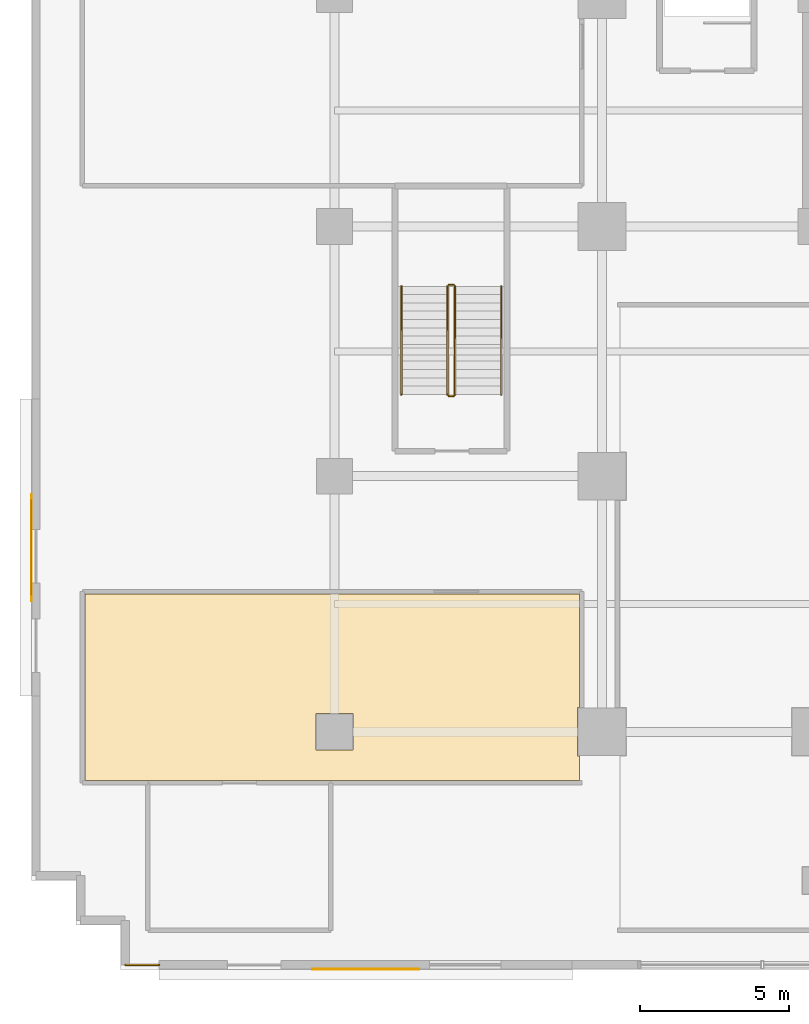
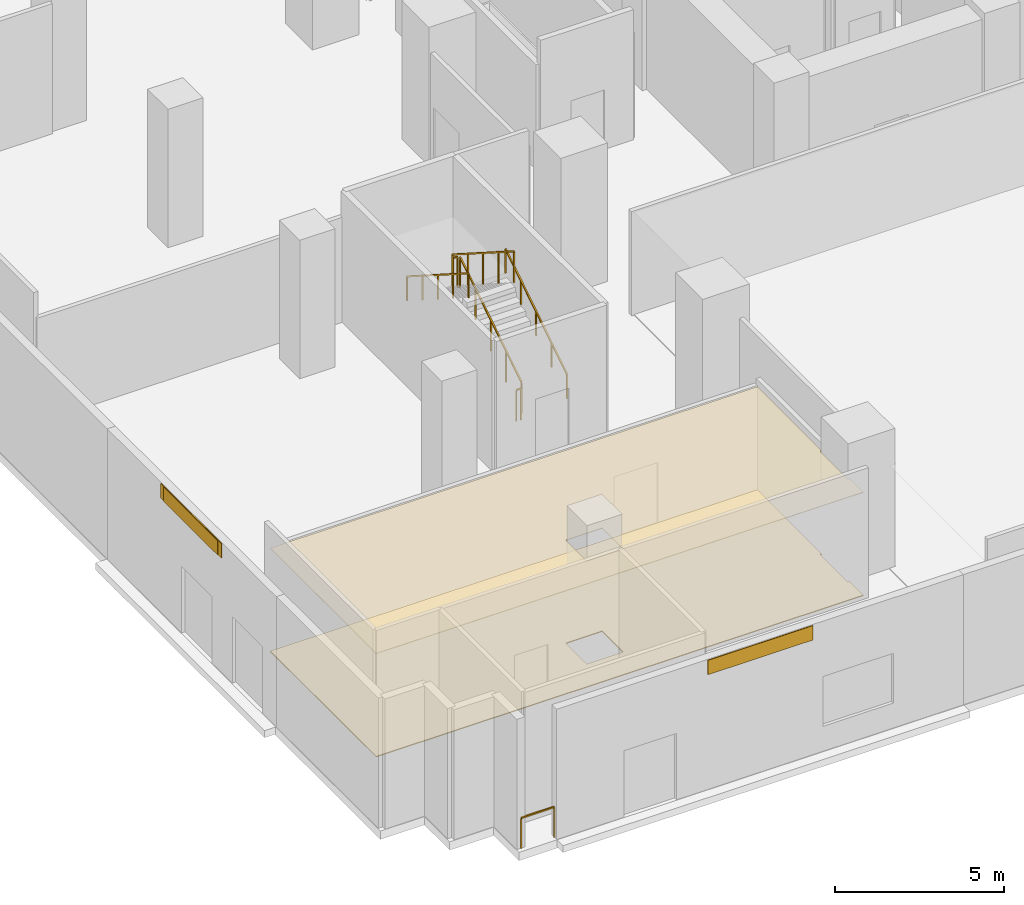
# One storey, part 18 of 27: 7 railings, 4 coverings, 1 shading device.
"""IFC4 building model written with IfcOpenShell, lengths in metres."""

from ifc_helpers import new_model, si_unit, direction, frame, origin, origin_2d, place, context, subcontext, project, spatial, polyline, rectangle, outline, extrude, source, transform, mapped, material, layer, layer_set, type_object, element, save


model = new_model("IFC4")

# Units and contexts
model_context = context("Model", 3, precision=1e-05, world=origin(), true_north=direction((0.0, 1.0)))
body_context = subcontext(model_context, "Body", "Model", "MODEL_VIEW")
ifc_project = project(units=[si_unit("LENGTHUNIT", "METRE"), si_unit("AREAUNIT", "SQUARE_METRE"), si_unit("VOLUMEUNIT", "CUBIC_METRE"), si_unit("PLANEANGLEUNIT", "RADIAN"), si_unit("MASSUNIT", "GRAM", prefix="KILO")], contexts=[model_context])

# Site, building, storey
site_placement = place(None, origin())
site = spatial("IfcSite", under=ifc_project, at=site_placement, CompositionType="ELEMENT")
building_placement = place(site_placement, origin())
building = spatial("IfcBuilding", under=site, at=building_placement, Name="Zarnakvel Exchange Tower", CompositionType="ELEMENT")
storey_placement = place(building_placement, origin())
storey = spatial("IfcBuildingStorey", under=building, at=storey_placement, Name="L00", CompositionType="ELEMENT", Elevation=0.0)

# Coverings
ifc_material_1 = material(Name="Perforated Bronze Acoustic Metal Ceiling", Category="aluminium")
ifc_layer_1 = layer(ifc_material_1, 0.02001953125)
ifc_layer_set_1 = layer_set([ifc_layer_1], Name="Perforated Bronze Acoustic Metal Ceiling")
covering_type_1 = type_object("IfcCoveringType", Name="CLG-01", PredefinedType="CEILING", material=ifc_layer_set_1)
covering_1_placement = place(storey_placement, frame((0.0, 0.0, 3.72998046875)))
element("IfcCovering", 1, at=covering_1_placement, inside=storey, type_object=covering_type_1, Name="L00 Suspended Acoustic Ceiling (Public Banking Hall)", PredefinedType="CEILING", context=body_context, shape_type="SweptSolid", body=[
    extrude(outline(polyline([(-22.360107421875, -13.56005859375), (-22.360107421875, -17.3798828125), (-22.419921875, -17.3798828125), (-22.419921875, -19.02001953125), (-22.360107421875, -19.02001953125), (-22.360107421875, -19.840087890625), (-39.0, -19.840087890625), (-39.0, -13.56005859375), (-22.360107421875, -13.56005859375)]), holes=[polyline([(-29.97998046875, -18.820068359375), (-29.97998046875, -17.580078125), (-31.219970703125, -17.580078125), (-31.219970703125, -18.820068359375), (-29.97998046875, -18.820068359375)])]), origin(), (0.0, 0.0, 1.0), 0.02001953125),
])
ifc_material_2 = material(Name="Honed Limestone & Turquoise Inlay Stone", Category="masonry")
ifc_layer_2 = layer(ifc_material_2, 0.030029296875)
ifc_layer_set_2 = layer_set([ifc_layer_2], Name="Honed Limestone & Turquoise Inlay Stone")
covering_type_2 = type_object("IfcCoveringType", Name="FLR-01", PredefinedType="FLOORING", material=ifc_layer_set_2)
covering_2_placement = place(storey_placement, origin())
element("IfcCovering", 2, at=covering_2_placement, inside=storey, type_object=covering_type_2, Name="L00 Floor Finish (Public Banking Hall)", PredefinedType="FLOORING", context=body_context, shape_type="SweptSolid", body=[
    extrude(outline(polyline([(-22.360107421875, -13.56005859375), (-22.360107421875, -17.3798828125), (-22.419921875, -17.3798828125), (-22.419921875, -19.02001953125), (-22.360107421875, -19.02001953125), (-22.360107421875, -19.840087890625), (-39.0, -19.840087890625), (-39.0, -13.56005859375), (-22.360107421875, -13.56005859375)]), holes=[polyline([(-29.97998046875, -18.820068359375), (-29.97998046875, -17.580078125), (-31.219970703125, -17.580078125), (-31.219970703125, -18.820068359375), (-29.97998046875, -18.820068359375)])]), origin(), (0.0, 0.0, 1.0), 0.030029296875),
])

# Railings
ifc_material_3 = material(Name="Architectural Bronze Anodised Aluminium", Category="aluminium")
railing_type_1 = type_object("IfcRailingType", Name="GR-02", PredefinedType="GUARDRAIL", material=ifc_material_3)
railing_1_placement = place(storey_placement, frame((-36.5, -26.0400390625, 0.0)))
element("IfcRailing", 3, at=railing_1_placement, inside=storey, type_object=railing_type_1, Name="L00 Corner Spandrel Balustrade #26", PredefinedType="GUARDRAIL", context=body_context, shape_type="SweptSolid", body=[
    extrude(rectangle(XDim=0.048095703125, YDim=0.048095703125, at=origin_2d()), frame((0.0, 0.0, 1.09619140625), z_axis=(-1.0, 0.0, 0.0), x_axis=(0.0, -1.0, 0.0)), (0.0, 0.0, 1.0), 1.139892578125),
    extrude(rectangle(XDim=0.0419921875, YDim=0.0419921875, at=origin_2d()), origin(), (0.0, 0.0, 1.0), 1.072021484375),
    extrude(rectangle(XDim=0.0419921875, YDim=0.0419921875, at=origin_2d()), frame((-1.139892578125, 0.0, 0.0)), (0.0, 0.0, 1.0), 1.072021484375),
])
ifc_material_4 = material(Name="Brushed Stainless Steel", Category="steel")
railing_type_2 = type_object("IfcRailingType", Name="HR-01", PredefinedType="HANDRAIL", material=ifc_material_4)
railing_2_placement = place(storey_placement, frame((-24.989990234375, -6.85009765625, 0.178466796875)))
element("IfcRailing", 4, at=railing_2_placement, inside=storey, type_object=railing_type_2, Name="L00 ST-03 stair handrail 1", PredefinedType="HANDRAIL", context=body_context, shape_type="SweptSolid", body=[
    extrude(rectangle(XDim=0.048095703125, YDim=0.048095703125, at=origin_2d()), frame((0.0, 0.0, 0.8759765625), z_axis=(0.0, 0.843127859045, 0.537713132908), x_axis=(-1.0, 0.0, 0.0)), (0.0, 0.0, 1.0), 4.3173828125),
    extrude(rectangle(XDim=0.0419921875, YDim=0.0419921875, at=origin_2d()), origin(), (0.0, 0.0, 1.0), 0.851806640625),
    extrude(rectangle(XDim=0.0419921875, YDim=0.0419921875, at=origin_2d()), frame((0.0, 0.91015625, 0.580322265625)), (0.0, 0.0, 1.0), 0.851806640625),
    extrude(rectangle(XDim=0.0419921875, YDim=0.0419921875, at=origin_2d()), frame((0.0, 1.820068359375, 1.16064453125)), (0.0, 0.0, 1.0), 0.851806640625),
    extrude(rectangle(XDim=0.0419921875, YDim=0.0419921875, at=origin_2d()), frame((0.0, 2.72998046875, 1.7412109375)), (0.0, 0.0, 1.0), 0.851806640625),
    extrude(rectangle(XDim=0.0419921875, YDim=0.0419921875, at=origin_2d()), frame((0.0, 3.64013671875, 2.321533203125)), (0.0, 0.0, 1.0), 0.851806640625),
])
railing_3_placement = place(storey_placement, frame((-28.35009765625, -3.2099609375, 2.678466796875)))
element("IfcRailing", 5, at=railing_3_placement, inside=storey, type_object=railing_type_2, Name="L00 ST-03 stair handrail 2", PredefinedType="HANDRAIL", context=body_context, shape_type="SweptSolid", body=[
    extrude(rectangle(XDim=0.048095703125, YDim=0.048095703125, at=origin_2d()), frame((0.0, 0.0, 0.8759765625), z_axis=(0.0, -0.843127859045, 0.537713132908), x_axis=(1.0, 0.0, 0.0)), (0.0, 0.0, 1.0), 4.3173828125),
    extrude(rectangle(XDim=0.0419921875, YDim=0.0419921875, at=origin_2d()), origin(), (0.0, 0.0, 1.0), 0.851806640625),
    extrude(rectangle(XDim=0.0419921875, YDim=0.0419921875, at=origin_2d()), frame((0.0, -0.91015625, 0.580322265625)), (0.0, 0.0, 1.0), 0.851806640625),
    extrude(rectangle(XDim=0.0419921875, YDim=0.0419921875, at=origin_2d()), frame((0.0, -1.820068359375, 1.16064453125)), (0.0, 0.0, 1.0), 0.851806640625),
    extrude(rectangle(XDim=0.0419921875, YDim=0.0419921875, at=origin_2d()), frame((0.0, -2.72998046875, 1.7412109375)), (0.0, 0.0, 1.0), 0.851806640625),
    extrude(rectangle(XDim=0.0419921875, YDim=0.0419921875, at=origin_2d()), frame((0.0, -3.64013671875, 2.321533203125)), (0.0, 0.0, 1.0), 0.851806640625),
])
railing_type_3 = type_object("IfcRailingType", Name="SG-01", PredefinedType="GUARDRAIL", material=ifc_material_3)
railing_4_placement = place(storey_placement, frame((-26.5400390625, -6.85009765625, 0.178466796875)))
element("IfcRailing", 6, at=railing_4_placement, inside=storey, type_object=railing_type_3, Name="L00 ST-03 stair guard 1", PredefinedType="GUARDRAIL", context=body_context, shape_type="SweptSolid", body=[
    extrude(rectangle(XDim=0.048095703125, YDim=0.048095703125, at=origin_2d()), frame((0.0, 0.0, 1.1259765625), z_axis=(0.0, 0.843127859045, 0.537713132908), x_axis=(-1.0, 0.0, 0.0)), (0.0, 0.0, 1.0), 4.3173828125),
    extrude(rectangle(XDim=0.0419921875, YDim=0.0419921875, at=origin_2d()), origin(), (0.0, 0.0, 1.0), 1.101806640625),
    extrude(rectangle(XDim=0.0419921875, YDim=0.0419921875, at=origin_2d()), frame((0.0, 0.91015625, 0.580322265625)), (0.0, 0.0, 1.0), 1.101806640625),
    extrude(rectangle(XDim=0.0419921875, YDim=0.0419921875, at=origin_2d()), frame((0.0, 1.820068359375, 1.16064453125)), (0.0, 0.0, 1.0), 1.101806640625),
    extrude(rectangle(XDim=0.0419921875, YDim=0.0419921875, at=origin_2d()), frame((0.0, 2.72998046875, 1.7412109375)), (0.0, 0.0, 1.0), 1.101806640625),
    extrude(rectangle(XDim=0.0419921875, YDim=0.0419921875, at=origin_2d()), frame((0.0, 3.64013671875, 2.321533203125)), (0.0, 0.0, 1.0), 1.101806640625),
])
railing_5_placement = place(storey_placement, frame((-26.590087890625, -3.159912109375, 2.5)))
element("IfcRailing", 7, at=railing_5_placement, inside=storey, type_object=railing_type_3, Name="L00 ST-03 stair guard 2", PredefinedType="GUARDRAIL", context=body_context, shape_type="SweptSolid", body=[
    extrude(rectangle(XDim=0.048095703125, YDim=0.048095703125, at=origin_2d()), frame((0.0, 0.0, 1.1259765625), z_axis=(-1.0, 0.0, 0.0), x_axis=(0.0, -1.0, 0.0)), (0.0, 0.0, 1.0), 0.159912109375),
    extrude(rectangle(XDim=0.0419921875, YDim=0.0419921875, at=origin_2d()), origin(), (0.0, 0.0, 1.0), 1.101806640625),
    extrude(rectangle(XDim=0.0419921875, YDim=0.0419921875, at=origin_2d()), frame((-0.159912109375, 0.0, 0.0)), (0.0, 0.0, 1.0), 1.101806640625),
])
railing_6_placement = place(storey_placement, frame((-26.800048828125, -3.2099609375, 2.678466796875)))
element("IfcRailing", 8, at=railing_6_placement, inside=storey, type_object=railing_type_3, Name="L00 ST-03 stair guard 3", PredefinedType="GUARDRAIL", context=body_context, shape_type="SweptSolid", body=[
    extrude(rectangle(XDim=0.048095703125, YDim=0.048095703125, at=origin_2d()), frame((0.0, 0.0, 1.1259765625), z_axis=(0.0, -0.843127859045, 0.537713132908), x_axis=(1.0, 0.0, 0.0)), (0.0, 0.0, 1.0), 4.3173828125),
    extrude(rectangle(XDim=0.0419921875, YDim=0.0419921875, at=origin_2d()), origin(), (0.0, 0.0, 1.0), 1.101806640625),
    extrude(rectangle(XDim=0.0419921875, YDim=0.0419921875, at=origin_2d()), frame((0.0, -0.91015625, 0.580322265625)), (0.0, 0.0, 1.0), 1.101806640625),
    extrude(rectangle(XDim=0.0419921875, YDim=0.0419921875, at=origin_2d()), frame((0.0, -1.820068359375, 1.16064453125)), (0.0, 0.0, 1.0), 1.101806640625),
    extrude(rectangle(XDim=0.0419921875, YDim=0.0419921875, at=origin_2d()), frame((0.0, -2.72998046875, 1.7412109375)), (0.0, 0.0, 1.0), 1.101806640625),
    extrude(rectangle(XDim=0.0419921875, YDim=0.0419921875, at=origin_2d()), frame((0.0, -3.64013671875, 2.321533203125)), (0.0, 0.0, 1.0), 1.101806640625),
])
railing_7_placement = place(storey_placement, frame((-26.590087890625, -6.89990234375, 0.0)))
element("IfcRailing", 9, at=railing_7_placement, inside=storey, type_object=railing_type_3, Name="L00 ST-03 stair guard 4", PredefinedType="GUARDRAIL", context=body_context, shape_type="SweptSolid", body=[
    extrude(rectangle(XDim=0.048095703125, YDim=0.048095703125, at=origin_2d()), frame((0.0, 0.0, 1.1259765625), z_axis=(-1.0, 0.0, 0.0), x_axis=(0.0, -1.0, 0.0)), (0.0, 0.0, 1.0), 0.159912109375),
    extrude(rectangle(XDim=0.0419921875, YDim=0.0419921875, at=origin_2d()), origin(), (0.0, 0.0, 1.0), 1.101806640625),
    extrude(rectangle(XDim=0.0419921875, YDim=0.0419921875, at=origin_2d()), frame((-0.159912109375, 0.0, 0.0)), (0.0, 0.0, 1.0), 1.101806640625),
])

# Coverings
ifc_material_5 = material(Name="Glazed Turquoise Ceramic Architectural Tile", Category="ceramic")
ifc_layer_3 = layer(ifc_material_5, 0.028076171875)
ifc_layer_set_3 = layer_set([ifc_layer_3], Name="Glazed Turquoise Ceramic Architectural Tile")
covering_type_3 = type_object("IfcCoveringType", Name="CL-01", PredefinedType="CLADDING", material=ifc_layer_set_3)
shared_shape_1 = source(origin(), body_context, "Body", "SweptSolid", [
    extrude(rectangle(XDim=3.60009765625, YDim=0.028076171875, at=origin_2d()), origin(), (0.0, 0.0, 1.0), 0.52001953125),
])
for number, where, z_axis, x_axis, name in (
    (10, (-40.7919921875, -12.0, 4.159912109375), (0.0, 0.0, 1.0), (0.0, 1.0, 0.0), "L00 Ceramic Spandrel Tilework CL-01"),
    (11, (-29.550048828125, -26.19189453125, 4.159912109375), (0.0, 0.0, 1.0), (-1.0, 0.0, 0.0), "L00 Ceramic Spandrel Tilework CL-01"),
):
    element("IfcCovering", number, at=place(storey_placement, frame(where, z_axis=z_axis, x_axis=x_axis)), inside=storey, type_object=covering_type_3, Name=name, PredefinedType="CLADDING", context=body_context, shape_type="MappedRepresentation", body=[
        mapped(shared_shape_1, transform((0.0, 0.0, 0.0), x_axis=(1.0, 0.0, 0.0), y_axis=(0.0, 1.0, 0.0), z_axis=(0.0, 0.0, 1.0), scale=1.0)),
    ])

# Shading device
ifc_material_6 = material(Name="Perforated Architectural Bronze Screen", Category="aluminium")
ifc_layer_4 = layer(ifc_material_6, 0.044921875)
ifc_layer_set_4 = layer_set([ifc_layer_4], Name="Perforated Architectural Bronze Screen")
shading_device_type = type_object("IfcShadingDeviceType", Name="SS-01", PredefinedType="JALOUSIE", material=ifc_layer_set_4)
shared_shape_2 = source(origin(), body_context, "Body", "SweptSolid", [
    extrude(rectangle(XDim=3.199951171875, YDim=0.044921875, at=origin_2d()), origin(), (0.0, 0.0, 1.0), 0.52001953125),
])
shading_device_placement = place(storey_placement, frame((-40.800537109375, -12.0, 4.159912109375), z_axis=(0.0, 0.0, 1.0), x_axis=(0.0, 1.0, 0.0)))
element("IfcShadingDevice", 12, at=shading_device_placement, inside=storey, type_object=shading_device_type, Name="L00 Bronze Solar Shading Screen SS-01", PredefinedType="JALOUSIE", context=body_context, shape_type="MappedRepresentation", body=[
    mapped(shared_shape_2, transform((0.0, 0.0, 0.0), x_axis=(1.0, 0.0, 0.0), y_axis=(0.0, 1.0, 0.0), z_axis=(0.0, 0.0, 1.0), scale=1.0)),
])

save(model, "model.ifc")
